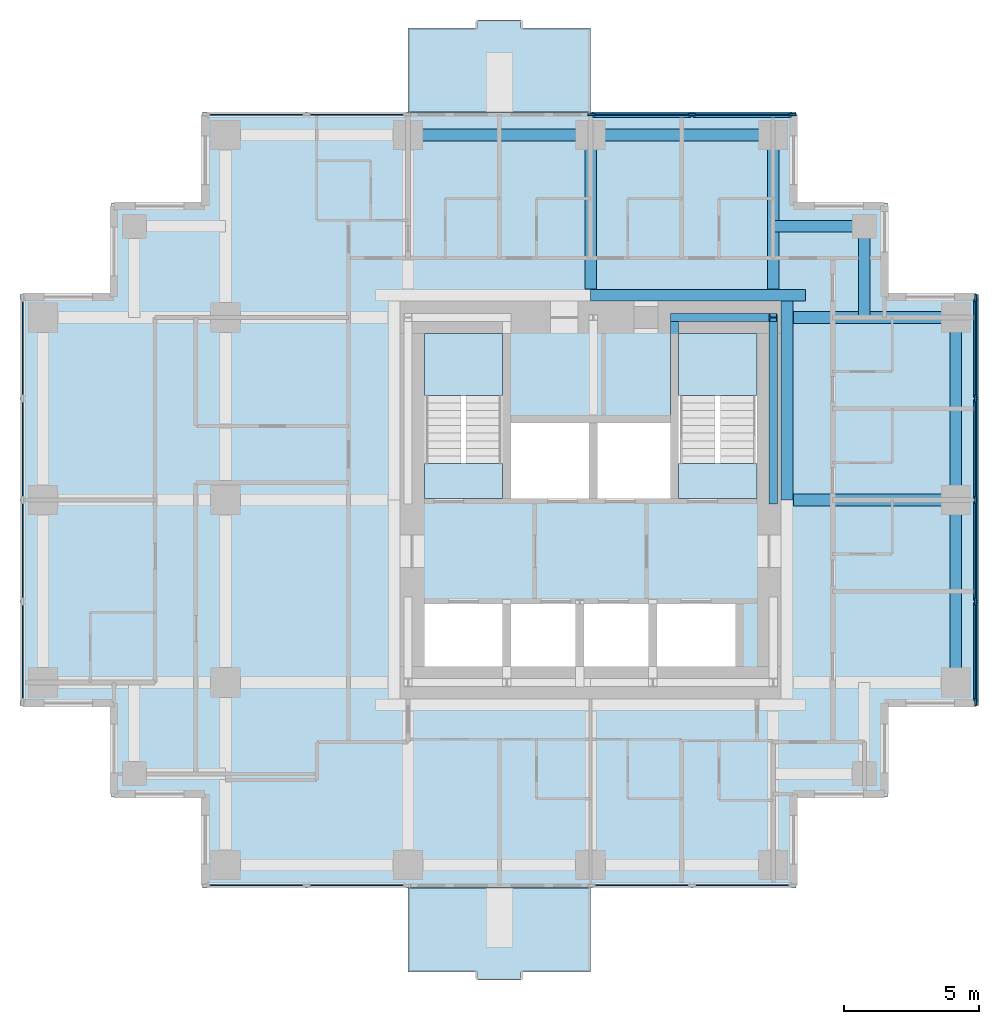
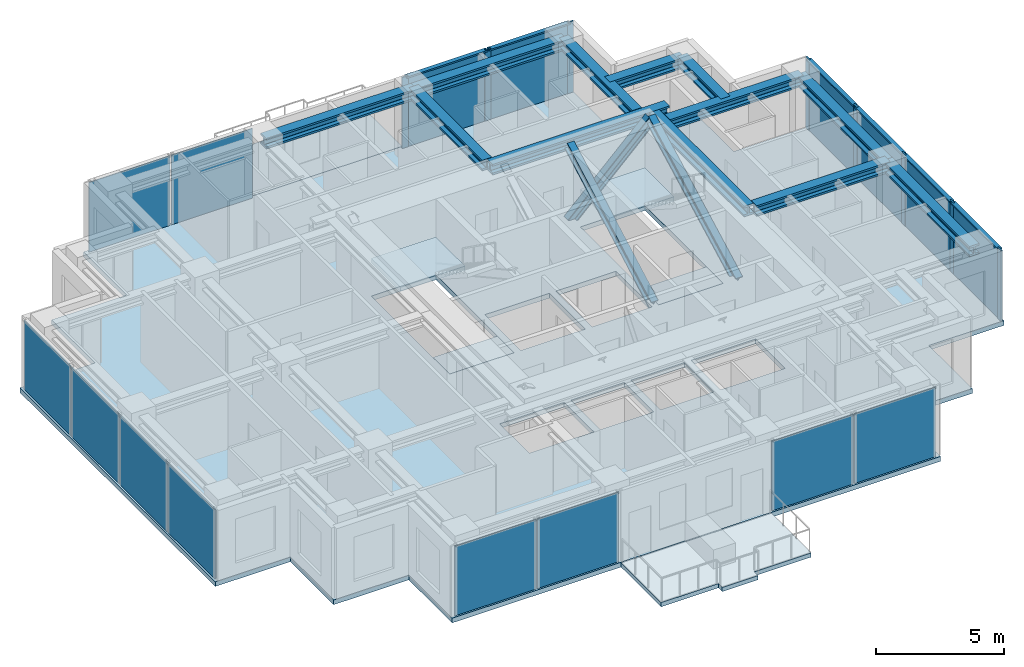
# One storey, part 2 of 8: 17 members, 16 plates, 12 beams, 7 slabs, 8 elements without a shape of their own.
"""IFC4 building model written with IfcOpenShell, lengths in metres."""

from ifc_helpers import new_model, si_unit, direction, frame, origin, origin_2d, place, context, subcontext, project, spatial, polyline, rectangle, i_section, outline, extrude, material, layer, layer_set, material_profile, profile_set, type_object, element, aggregate, save


model = new_model("IFC4")

# Units and contexts
model_context = context("Model", 3, precision=1e-05, world=origin(), true_north=direction((0.0, 1.0)))
body_context = subcontext(model_context, "Body", "Model", "MODEL_VIEW")
ifc_project = project(units=[si_unit("LENGTHUNIT", "METRE"), si_unit("AREAUNIT", "SQUARE_METRE"), si_unit("VOLUMEUNIT", "CUBIC_METRE"), si_unit("PLANEANGLEUNIT", "RADIAN"), si_unit("MASSUNIT", "GRAM", prefix="KILO")], contexts=[model_context])

# Site, building, storey
site_placement = place(None, origin())
site = spatial("IfcSite", under=ifc_project, at=site_placement, CompositionType="ELEMENT")
building_placement = place(site_placement, origin())
building = spatial("IfcBuilding", under=site, at=building_placement, Name="Nyansa Garden Tower", CompositionType="ELEMENT")
storey_placement = place(building_placement, frame((0.0, 0.0, 211.5)))
storey = spatial("IfcBuildingStorey", under=building, at=storey_placement, Name="L57", CompositionType="ELEMENT", Elevation=211.5)

# Curtain wall, members
ifc_material_1 = material(Name="Black anodised aluminium, dark tinted double glazing", Category="aluminium")
curtain_wall_type = type_object("IfcCurtainWallType", Name="Inner skin curtain wall ISW-D", PredefinedType="USERDEFINED", material=ifc_material_1)
curtain_wall_1_placement = place(storey_placement, origin())
curtain_wall_1 = element("IfcCurtainWall", 1, at=curtain_wall_1_placement, inside=storey, type_object=curtain_wall_type, Name="Inner skin curtain wall L57 E", ObjectType="UNITISED CURTAIN WALL", PredefinedType="USERDEFINED")
ifc_material_2 = material(Name="Black anodised aluminium", Category="aluminium")
ifc_material_profile_1 = material_profile(ifc_material_2, rectangle(XDim=0.070068359375, YDim=0.27490234375, at=origin_2d()), Name="Mullion 275x70")
ifc_profile_set_1 = profile_set([ifc_material_profile_1], Name="Black anodised aluminium")
member_type_1 = type_object("IfcMemberType", Name="Mullion ISW-D 275x70", PredefinedType="MULLION", material=ifc_profile_set_1)
member_1_placement = place(storey_placement, frame((34.5, 12.784912109375, 0.0), z_axis=(0.0, 0.0, 1.0), x_axis=(-1.0, 0.0, 0.0)))
member_1 = element("IfcMember", 2, at=member_1_placement, type_object=member_type_1, Name="ISW-D mullion 1", PredefinedType="MULLION", context=body_context, shape_type="SweptSolid", body=[
    extrude(rectangle(XDim=0.070068359375, YDim=0.27490234375, at=origin_2d()), origin(), (0.0, 0.0, 1.0), 3.375),
])
member_2_placement = place(storey_placement, frame((34.5, 16.5, 0.0), z_axis=(0.0, 0.0, 1.0), x_axis=(-1.0, 0.0, 0.0)))
member_2 = element("IfcMember", 3, at=member_2_placement, type_object=member_type_1, Name="ISW-D mullion 2", PredefinedType="MULLION", context=body_context, shape_type="SweptSolid", body=[
    extrude(rectangle(XDim=0.070068359375, YDim=0.27490234375, at=origin_2d()), origin(), (0.0, 0.0, 1.0), 3.375),
])
member_3_placement = place(storey_placement, frame((34.5, 20.25, 0.0), z_axis=(0.0, 0.0, 1.0), x_axis=(-1.0, 0.0, 0.0)))
member_3 = element("IfcMember", 4, at=member_3_placement, type_object=member_type_1, Name="ISW-D mullion 3", PredefinedType="MULLION", context=body_context, shape_type="SweptSolid", body=[
    extrude(rectangle(XDim=0.070068359375, YDim=0.27490234375, at=origin_2d()), origin(), (0.0, 0.0, 1.0), 3.375),
])
member_4_placement = place(storey_placement, frame((34.5, 24.0, 0.0), z_axis=(0.0, 0.0, 1.0), x_axis=(-1.0, 0.0, 0.0)))
member_4 = element("IfcMember", 5, at=member_4_placement, type_object=member_type_1, Name="ISW-D mullion 4", PredefinedType="MULLION", context=body_context, shape_type="SweptSolid", body=[
    extrude(rectangle(XDim=0.070068359375, YDim=0.27490234375, at=origin_2d()), origin(), (0.0, 0.0, 1.0), 3.375),
])
member_5_placement = place(storey_placement, frame((34.5, 27.715087890625, 0.0), z_axis=(0.0, 0.0, 1.0), x_axis=(-1.0, 0.0, 0.0)))
member_5 = element("IfcMember", 6, at=member_5_placement, type_object=member_type_1, Name="ISW-D mullion 5", PredefinedType="MULLION", context=body_context, shape_type="SweptSolid", body=[
    extrude(rectangle(XDim=0.070068359375, YDim=0.27490234375, at=origin_2d()), origin(), (0.0, 0.0, 1.0), 3.375),
])

curtain_wall_2_placement = place(storey_placement, origin())
curtain_wall_2 = element("IfcCurtainWall", 7, at=curtain_wall_2_placement, inside=storey, type_object=curtain_wall_type, Name="Inner skin curtain wall L57 N", ObjectType="UNITISED CURTAIN WALL", PredefinedType="USERDEFINED")
member_6_placement = place(storey_placement, frame((27.715087890625, 34.5, 0.0), z_axis=(0.0, 0.0, 1.0), x_axis=(0.0, -1.0, 0.0)))
member_6 = element("IfcMember", 8, at=member_6_placement, type_object=member_type_1, Name="ISW-D mullion 1", PredefinedType="MULLION", context=body_context, shape_type="SweptSolid", body=[
    extrude(rectangle(XDim=0.070068359375, YDim=0.27490234375, at=origin_2d()), origin(), (0.0, 0.0, 1.0), 3.375),
])
member_7_placement = place(storey_placement, frame((24.0, 34.5, 0.0), z_axis=(0.0, 0.0, 1.0), x_axis=(0.0, -1.0, 0.0)))
member_7 = element("IfcMember", 9, at=member_7_placement, type_object=member_type_1, Name="ISW-D mullion 2", PredefinedType="MULLION", context=body_context, shape_type="SweptSolid", body=[
    extrude(rectangle(XDim=0.070068359375, YDim=0.27490234375, at=origin_2d()), origin(), (0.0, 0.0, 1.0), 3.375),
])
member_8_placement = place(storey_placement, frame((20.284912109375, 34.5, 0.0), z_axis=(0.0, 0.0, 1.0), x_axis=(0.0, -1.0, 0.0)))
member_8 = element("IfcMember", 10, at=member_8_placement, type_object=member_type_1, Name="ISW-D mullion 3", PredefinedType="MULLION", context=body_context, shape_type="SweptSolid", body=[
    extrude(rectangle(XDim=0.070068359375, YDim=0.27490234375, at=origin_2d()), origin(), (0.0, 0.0, 1.0), 3.375),
])

# Members
ifc_material_3 = material(Name="Steel S355", Category="steel")
ifc_material_profile_2 = material_profile(ifc_material_3, i_section(OverallWidth=0.306884765625, OverallDepth=0.431884765625, WebThickness=0.02099609375, FlangeThickness=0.0400390625, FilletRadius=0.027099609375, at=origin_2d()), Name="HE 400 M")
ifc_profile_set_2 = profile_set([ifc_material_profile_2], Name="Steel S355")
member_type_2 = type_object("IfcMemberType", Name="Perimeter brace HE 400 M", PredefinedType="BRACE", material=ifc_profile_set_2)
member_9_placement = place(storey_placement, frame((23.35009765625, 27.0, 0.0), z_axis=(0.711947531702, 0.0, 0.702232662373), x_axis=(0.0, 1.0, 0.0)))
element("IfcMember", 11, at=member_9_placement, inside=storey, type_object=member_type_2, Name="Core brace CN4 L57", PredefinedType="BRACE", context=body_context, shape_type="SweptSolid", body=[
    extrude(i_section(OverallWidth=0.306884765625, OverallDepth=0.431884765625, WebThickness=0.02099609375, FlangeThickness=0.0400390625, FilletRadius=0.027099609375, at=origin_2d()), origin(), (0.0, 0.0, 1.0), 5.126708984375),
])
member_10_placement = place(storey_placement, frame((27.0, 20.199951171875, 0.0), z_axis=(0.0, 0.883784057226, 0.467895009796), x_axis=(-1.0, 0.0, 0.0)))
element("IfcMember", 12, at=member_10_placement, inside=storey, type_object=member_type_2, Name="Core brace CE8 L57", PredefinedType="BRACE", context=body_context, shape_type="SweptSolid", body=[
    extrude(i_section(OverallWidth=0.306884765625, OverallDepth=0.431884765625, WebThickness=0.02099609375, FlangeThickness=0.0400390625, FilletRadius=0.027099609375, at=origin_2d()), origin(), (0.0, 0.0, 1.0), 7.6943359375),
])
member_11_placement = place(storey_placement, frame((23.35009765625, 20.449951171875, 0.0), z_axis=(0.0, 0.876353113771, 0.481669201822), x_axis=(-1.0, 0.0, 0.0)))
element("IfcMember", 13, at=member_11_placement, inside=storey, type_object=member_type_2, Name="Core brace CES10 L57", PredefinedType="BRACE", context=body_context, shape_type="SweptSolid", body=[
    extrude(i_section(OverallWidth=0.306884765625, OverallDepth=0.431884765625, WebThickness=0.02099609375, FlangeThickness=0.0400390625, FilletRadius=0.027099609375, at=origin_2d()), origin(), (0.0, 0.0, 1.0), 7.47412109375),
])

# Beams
ifc_material_4 = material(Name="Steel S355", Category="steel")
ifc_material_profile_3 = material_profile(ifc_material_4, i_section(OverallWidth=0.431884765625, OverallDepth=0.498046875, WebThickness=0.0556640625, FlangeThickness=0.0888671875, FilletRadius=0.014892578125, at=origin_2d()), Name="HD 400x744")
ifc_profile_set_3 = profile_set([ifc_material_profile_3], Name="Steel S355")
beam_type_1 = type_object("IfcBeamType", Name="Steel beam SBD1-744 HD 400x744", PredefinedType="BEAM", material=ifc_profile_set_3)
beam_1_placement = place(storey_placement, frame((20.25, 28.050048828125, 3.1259765625), z_axis=(0.0, 1.0, 0.0), x_axis=(-1.0, 0.0, 0.0)))
element("IfcBeam", 14, at=beam_1_placement, inside=storey, type_object=beam_type_1, Name="Steel beam 5/28.050-5/J L58", PredefinedType="BEAM", context=body_context, shape_type="SweptSolid", body=[
    extrude(i_section(OverallWidth=0.431884765625, OverallDepth=0.498046875, WebThickness=0.0556640625, FlangeThickness=0.0888671875, FilletRadius=0.014892578125, at=origin_2d()), origin(), (0.0, 0.0, 1.0), 5.699951171875),
])
beam_2_placement = place(storey_placement, frame((27.75, 20.25, 3.1259765625), z_axis=(1.0, 0.0, 0.0), x_axis=(0.0, 1.0, 0.0)))
element("IfcBeam", 15, at=beam_2_placement, inside=storey, type_object=beam_type_1, Name="Steel beam 27.750/G-7/G L58", PredefinedType="BEAM", context=body_context, shape_type="SweptSolid", body=[
    extrude(i_section(OverallWidth=0.431884765625, OverallDepth=0.498046875, WebThickness=0.0556640625, FlangeThickness=0.0888671875, FilletRadius=0.014892578125, at=origin_2d()), origin(), (0.0, 0.0, 1.0), 6.0),
])
beam_3_placement = place(storey_placement, frame((27.0, 28.050048828125, 3.1259765625), z_axis=(0.0, 1.0, 0.0), x_axis=(-1.0, 0.0, 0.0)))
element("IfcBeam", 16, at=beam_3_placement, inside=storey, type_object=beam_type_1, Name="Steel beam 6/28.050-6/J L58", PredefinedType="BEAM", context=body_context, shape_type="SweptSolid", body=[
    extrude(i_section(OverallWidth=0.431884765625, OverallDepth=0.498046875, WebThickness=0.0556640625, FlangeThickness=0.0888671875, FilletRadius=0.014892578125, at=origin_2d()), origin(), (0.0, 0.0, 1.0), 5.699951171875),
])
beam_4_placement = place(storey_placement, frame((27.75, 27.0, 3.1259765625), z_axis=(1.0, 0.0, 0.0), x_axis=(0.0, 1.0, 0.0)))
element("IfcBeam", 17, at=beam_4_placement, inside=storey, type_object=beam_type_1, Name="Steel beam 27.750/H-7/H L58", PredefinedType="BEAM", context=body_context, shape_type="SweptSolid", body=[
    extrude(i_section(OverallWidth=0.431884765625, OverallDepth=0.498046875, WebThickness=0.0556640625, FlangeThickness=0.0888671875, FilletRadius=0.014892578125, at=origin_2d()), origin(), (0.0, 0.0, 1.0), 6.0),
])
ifc_material_5 = material(Name="Steel S355", Category="steel")
ifc_material_profile_4 = material_profile(ifc_material_5, i_section(OverallWidth=0.431884765625, OverallDepth=0.498046875, WebThickness=0.0556640625, FlangeThickness=0.0888671875, FilletRadius=0.014892578125, at=origin_2d()), Name="HD 400x744")
ifc_profile_set_4 = profile_set([ifc_material_profile_4], Name="Steel S355")
beam_type_2 = type_object("IfcBeamType", Name="Steel beam SEBD-744 HD 400x744", PredefinedType="BEAM", material=ifc_profile_set_4)
for number, where, z_axis, x_axis, name in (
    (18, (13.5, 33.75, 3.1259765625), (1.0, 0.0, 0.0), (0.0, 1.0, 0.0), "Steel edge beam 4/J-5/J L58"),
    (19, (20.25, 33.75, 3.1259765625), (1.0, 0.0, 0.0), (0.0, 1.0, 0.0), "Steel edge beam 5/J-6/J L58"),
    (20, (33.75, 13.5, 3.1259765625), (0.0, 1.0, 0.0), (-1.0, 0.0, 0.0), "Steel edge beam 7/F-7/G L58"),
    (21, (33.75, 20.25, 3.1259765625), (0.0, 1.0, 0.0), (-1.0, 0.0, 0.0), "Steel edge beam 7/G-7/H L58"),
):
    element("IfcBeam", number, at=place(storey_placement, frame(where, z_axis=z_axis, x_axis=x_axis)), inside=storey, type_object=beam_type_2, Name=name, PredefinedType="BEAM", context=body_context, shape_type="SweptSolid", body=[
        extrude(i_section(OverallWidth=0.431884765625, OverallDepth=0.498046875, WebThickness=0.0556640625, FlangeThickness=0.0888671875, FilletRadius=0.014892578125, at=origin_2d()), origin(), (0.0, 0.0, 1.0), 6.75),
    ])
ifc_material_6 = material(Name="Steel S355", Category="steel")
ifc_material_profile_5 = material_profile(ifc_material_6, i_section(OverallWidth=0.431884765625, OverallDepth=0.498046875, WebThickness=0.0556640625, FlangeThickness=0.0888671875, FilletRadius=0.014892578125, at=origin_2d()), Name="HD 400x744")
ifc_profile_set_5 = profile_set([ifc_material_profile_5], Name="Steel S355")
beam_type_3 = type_object("IfcBeamType", Name="Steel beam SLB1-744 HD 400x744", PredefinedType="BEAM", material=ifc_profile_set_5)
beam_5_placement = place(storey_placement, frame((27.51611328125, 20.25, 3.1259765625), z_axis=(0.0, 1.0, 0.0), x_axis=(-1.0, 0.0, 0.0)))
element("IfcBeam", 22, at=beam_5_placement, inside=storey, type_object=beam_type_3, Name="Steel core ledger beam E.2 L58", PredefinedType="BEAM", context=body_context, shape_type="SweptSolid", body=[
    extrude(i_section(OverallWidth=0.431884765625, OverallDepth=0.498046875, WebThickness=0.0556640625, FlangeThickness=0.0888671875, FilletRadius=0.014892578125, at=origin_2d()), origin(), (0.0, 0.0, 1.0), 7.35009765625),
])
beam_6_placement = place(storey_placement, frame((28.199951171875, 27.81591796875, 3.1259765625), z_axis=(-1.0, 0.0, 0.0), x_axis=(0.0, -1.0, 0.0)))
element("IfcBeam", 23, at=beam_6_placement, inside=storey, type_object=beam_type_3, Name="Steel core ledger beam N.1 L58", PredefinedType="BEAM", context=body_context, shape_type="SweptSolid", body=[
    extrude(i_section(OverallWidth=0.431884765625, OverallDepth=0.498046875, WebThickness=0.0556640625, FlangeThickness=0.0888671875, FilletRadius=0.014892578125, at=origin_2d()), origin(), (0.0, 0.0, 1.0), 7.949951171875),
])
ifc_material_7 = material(Name="Steel S355", Category="steel")
ifc_material_profile_6 = material_profile(ifc_material_7, i_section(OverallWidth=0.431884765625, OverallDepth=0.498046875, WebThickness=0.0556640625, FlangeThickness=0.0888671875, FilletRadius=0.014892578125, at=origin_2d()), Name="HD 400x744")
ifc_profile_set_6 = profile_set([ifc_material_profile_6], Name="Steel S355")
beam_type_4 = type_object("IfcBeamType", Name="Steel beam SSB1-744 HD 400x744", PredefinedType="BEAM", material=ifc_profile_set_6)
for number, where, z_axis, x_axis, name in (
    (24, (30.375, 30.375, 3.1259765625), (0.0, -1.0, 0.0), (1.0, 0.0, 0.0), "Steel step beam 30.375/30.375 L58"),
    (25, (30.375, 30.375, 3.1259765625), (-1.0, 0.0, 0.0), (0.0, -1.0, 0.0), "Steel step beam 30.375/30.375 L58"),
):
    element("IfcBeam", number, at=place(storey_placement, frame(where, z_axis=z_axis, x_axis=x_axis)), inside=storey, type_object=beam_type_4, Name=name, PredefinedType="BEAM", context=body_context, shape_type="SweptSolid", body=[
        extrude(i_section(OverallWidth=0.431884765625, OverallDepth=0.498046875, WebThickness=0.0556640625, FlangeThickness=0.0888671875, FilletRadius=0.014892578125, at=origin_2d()), origin(), (0.0, 0.0, 1.0), 3.375),
    ])

# Member
ifc_material_8 = material(Name="Black anodised aluminium", Category="aluminium")
ifc_material_profile_7 = material_profile(ifc_material_8, rectangle(XDim=0.195068359375, YDim=0.070068359375, at=origin_2d()), Name="Transom 195x70")
ifc_profile_set_7 = profile_set([ifc_material_profile_7], Name="Black anodised aluminium")
member_type_3 = type_object("IfcMemberType", Name="Transom ISW-D 195x70", PredefinedType="USERDEFINED", material=ifc_profile_set_7)
member_12_placement = place(storey_placement, frame((34.5, 12.820068359375, 3.340087890625), z_axis=(0.0, 1.0, 0.0), x_axis=(-1.0, 0.0, 0.0)))
member_12 = element("IfcMember", 26, at=member_12_placement, type_object=member_type_3, Name="ISW-D transom 1", ObjectType="TRANSOM", PredefinedType="USERDEFINED", context=body_context, shape_type="SweptSolid", body=[
    extrude(rectangle(XDim=0.195068359375, YDim=0.070068359375, at=origin_2d()), origin(), (0.0, 0.0, 1.0), 3.64501953125),
])

member_13_placement = place(storey_placement, frame((34.5, 16.534912109375, 3.340087890625), z_axis=(0.0, 1.0, 0.0), x_axis=(-1.0, 0.0, 0.0)))
member_13 = element("IfcMember", 27, at=member_13_placement, type_object=member_type_3, Name="ISW-D transom 2", ObjectType="TRANSOM", PredefinedType="USERDEFINED", context=body_context, shape_type="SweptSolid", body=[
    extrude(rectangle(XDim=0.195068359375, YDim=0.070068359375, at=origin_2d()), origin(), (0.0, 0.0, 1.0), 3.68017578125),
])

member_14_placement = place(storey_placement, frame((34.5, 20.284912109375, 3.340087890625), z_axis=(0.0, 1.0, 0.0), x_axis=(-1.0, 0.0, 0.0)))
member_14 = element("IfcMember", 28, at=member_14_placement, type_object=member_type_3, Name="ISW-D transom 3", ObjectType="TRANSOM", PredefinedType="USERDEFINED", context=body_context, shape_type="SweptSolid", body=[
    extrude(rectangle(XDim=0.195068359375, YDim=0.070068359375, at=origin_2d()), origin(), (0.0, 0.0, 1.0), 3.68017578125),
])

member_15_placement = place(storey_placement, frame((34.5, 24.034912109375, 3.340087890625), z_axis=(0.0, 1.0, 0.0), x_axis=(-1.0, 0.0, 0.0)))
member_15 = element("IfcMember", 29, at=member_15_placement, type_object=member_type_3, Name="ISW-D transom 4", ObjectType="TRANSOM", PredefinedType="USERDEFINED", context=body_context, shape_type="SweptSolid", body=[
    extrude(rectangle(XDim=0.195068359375, YDim=0.070068359375, at=origin_2d()), origin(), (0.0, 0.0, 1.0), 3.64501953125),
])

member_16_placement = place(storey_placement, frame((27.679931640625, 34.5, 3.340087890625), z_axis=(-1.0, 0.0, 0.0), x_axis=(0.0, -1.0, 0.0)))
member_16 = element("IfcMember", 30, at=member_16_placement, type_object=member_type_3, Name="ISW-D transom 1", ObjectType="TRANSOM", PredefinedType="USERDEFINED", context=body_context, shape_type="SweptSolid", body=[
    extrude(rectangle(XDim=0.195068359375, YDim=0.070068359375, at=origin_2d()), origin(), (0.0, 0.0, 1.0), 3.64501953125),
])

member_17_placement = place(storey_placement, frame((23.965087890625, 34.5, 3.340087890625), z_axis=(-1.0, 0.0, 0.0), x_axis=(0.0, -1.0, 0.0)))
member_17 = element("IfcMember", 31, at=member_17_placement, type_object=member_type_3, Name="ISW-D transom 2", ObjectType="TRANSOM", PredefinedType="USERDEFINED", context=body_context, shape_type="SweptSolid", body=[
    extrude(rectangle(XDim=0.195068359375, YDim=0.070068359375, at=origin_2d()), origin(), (0.0, 0.0, 1.0), 3.64501953125),
])

# Slabs
ifc_material_9 = material(Name="Concrete C40/50", Category="concrete")
ifc_layer_1 = layer(ifc_material_9, 0.199951171875)
ifc_layer_set_1 = layer_set([ifc_layer_1], Name="Balcony slab BS200")
slab_type_1 = type_object("IfcSlabType", Name="Balcony slab BS200", PredefinedType="FLOOR", material=ifc_layer_set_1)
slab_1_placement = place(storey_placement, frame((0.0, 0.0, -0.239990234375)))
element("IfcSlab", 32, at=slab_1_placement, inside=storey, type_object=slab_type_1, Name="Balcony L57 S", PredefinedType="FLOOR", context=body_context, shape_type="SweptSolid", body=[
    extrude(outline(polyline([(13.5, 5.89990234375), (20.25, 5.89990234375), (20.25, 2.800048828125), (17.675048828125, 2.800048828125), (17.675048828125, 2.5), (16.074951171875, 2.5), (16.074951171875, 2.800048828125), (13.5, 2.800048828125), (13.5, 5.89990234375)])), origin(), (0.0, 0.0, 1.0), 0.199951171875),
])
slab_2_placement = place(storey_placement, frame((0.0, 0.0, -0.239990234375)))
element("IfcSlab", 33, at=slab_2_placement, inside=storey, type_object=slab_type_1, Name="Balcony L57 N", PredefinedType="FLOOR", context=body_context, shape_type="SweptSolid", body=[
    extrude(outline(polyline([(13.5, 34.60009765625), (20.25, 34.60009765625), (20.25, 37.699951171875), (17.675048828125, 37.699951171875), (17.675048828125, 38.0), (16.074951171875, 38.0), (16.074951171875, 37.699951171875), (13.5, 37.699951171875), (13.5, 34.60009765625)])), origin(), (0.0, 0.0, 1.0), 0.199951171875),
])

# Plate
ifc_material_10 = material(Name="Dark tinted laminated double glazing", Category="glass")
ifc_layer_2 = layer(ifc_material_10, 0.0439453125)
ifc_layer_set_2 = layer_set([ifc_layer_2], Name="Dark tinted vision panel VP-D")
plate_type = type_object("IfcPlateType", Name="Dark tinted vision panel VP-D", PredefinedType="CURTAIN_PANEL", material=ifc_layer_set_2)
plate_1_placement = place(storey_placement, frame((34.5, 14.642578125, 0.0), z_axis=(0.0, 0.0, 1.0), x_axis=(0.0, 1.0, 0.0)))
plate_1 = element("IfcPlate", 34, at=plate_1_placement, type_object=plate_type, Name="ISW-D panel 1", PredefinedType="CURTAIN_PANEL", context=body_context, shape_type="SweptSolid", body=[
    extrude(rectangle(XDim=3.64501953125, YDim=0.0439453125, at=origin_2d()), origin(), (0.0, 0.0, 1.0), 3.304931640625),
])

plate_2_placement = place(storey_placement, frame((34.5, 18.375, 0.0), z_axis=(0.0, 0.0, 1.0), x_axis=(0.0, 1.0, 0.0)))
plate_2 = element("IfcPlate", 35, at=plate_2_placement, type_object=plate_type, Name="ISW-D panel 2", PredefinedType="CURTAIN_PANEL", context=body_context, shape_type="SweptSolid", body=[
    extrude(rectangle(XDim=3.679931640625, YDim=0.0439453125, at=origin_2d()), origin(), (0.0, 0.0, 1.0), 3.304931640625),
])

plate_3_placement = place(storey_placement, frame((34.5, 22.125, 0.0), z_axis=(0.0, 0.0, 1.0), x_axis=(0.0, 1.0, 0.0)))
plate_3 = element("IfcPlate", 36, at=plate_3_placement, type_object=plate_type, Name="ISW-D panel 3", PredefinedType="CURTAIN_PANEL", context=body_context, shape_type="SweptSolid", body=[
    extrude(rectangle(XDim=3.679931640625, YDim=0.0439453125, at=origin_2d()), origin(), (0.0, 0.0, 1.0), 3.304931640625),
])

plate_4_placement = place(storey_placement, frame((34.5, 25.857421875, 0.0), z_axis=(0.0, 0.0, 1.0), x_axis=(0.0, 1.0, 0.0)))
plate_4 = element("IfcPlate", 37, at=plate_4_placement, type_object=plate_type, Name="ISW-D panel 4", PredefinedType="CURTAIN_PANEL", context=body_context, shape_type="SweptSolid", body=[
    extrude(rectangle(XDim=3.64501953125, YDim=0.0439453125, at=origin_2d()), origin(), (0.0, 0.0, 1.0), 3.304931640625),
])

aggregate(curtain_wall_1, [member_1, member_2, member_3, member_4, member_5, member_12, plate_1, member_13, plate_2, member_14, plate_3, member_15, plate_4])

# Curtain wall, plates
curtain_wall_3_placement = place(storey_placement, origin())
curtain_wall_3 = element("IfcCurtainWall", 38, at=curtain_wall_3_placement, inside=storey, type_object=curtain_wall_type, Name="Inner skin curtain wall L57 N", ObjectType="UNITISED CURTAIN WALL", PredefinedType="USERDEFINED")
plate_5_placement = place(storey_placement, frame((11.607421875, 34.5, 0.0), z_axis=(0.0, 0.0, 1.0), x_axis=(-1.0, 0.0, 0.0)))
plate_5 = element("IfcPlate", 39, at=plate_5_placement, type_object=plate_type, Name="ISW-D panel 1", PredefinedType="CURTAIN_PANEL", context=body_context, shape_type="SweptSolid", body=[
    extrude(rectangle(XDim=3.64501953125, YDim=0.0439453125, at=origin_2d()), origin(), (0.0, 0.0, 1.0), 3.304931640625),
])
plate_6_placement = place(storey_placement, frame((7.892578125, 34.5, 0.0), z_axis=(0.0, 0.0, 1.0), x_axis=(-1.0, 0.0, 0.0)))
plate_6 = element("IfcPlate", 40, at=plate_6_placement, type_object=plate_type, Name="ISW-D panel 2", PredefinedType="CURTAIN_PANEL", context=body_context, shape_type="SweptSolid", body=[
    extrude(rectangle(XDim=3.64501953125, YDim=0.0439453125, at=origin_2d()), origin(), (0.0, 0.0, 1.0), 3.304931640625),
])
aggregate(curtain_wall_3, [plate_5, plate_6])

# Plate
plate_7_placement = place(storey_placement, frame((25.857421875, 34.5, 0.0), z_axis=(0.0, 0.0, 1.0), x_axis=(-1.0, 0.0, 0.0)))
plate_7 = element("IfcPlate", 41, at=plate_7_placement, type_object=plate_type, Name="ISW-D panel 1", PredefinedType="CURTAIN_PANEL", context=body_context, shape_type="SweptSolid", body=[
    extrude(rectangle(XDim=3.64501953125, YDim=0.0439453125, at=origin_2d()), origin(), (0.0, 0.0, 1.0), 3.304931640625),
])

plate_8_placement = place(storey_placement, frame((22.142578125, 34.5, 0.0), z_axis=(0.0, 0.0, 1.0), x_axis=(-1.0, 0.0, 0.0)))
plate_8 = element("IfcPlate", 42, at=plate_8_placement, type_object=plate_type, Name="ISW-D panel 2", PredefinedType="CURTAIN_PANEL", context=body_context, shape_type="SweptSolid", body=[
    extrude(rectangle(XDim=3.64501953125, YDim=0.0439453125, at=origin_2d()), origin(), (0.0, 0.0, 1.0), 3.304931640625),
])

aggregate(curtain_wall_2, [member_6, member_7, member_8, member_16, plate_7, member_17, plate_8])

# Curtain wall, plates
curtain_wall_4_placement = place(storey_placement, origin())
curtain_wall_4 = element("IfcCurtainWall", 43, at=curtain_wall_4_placement, inside=storey, type_object=curtain_wall_type, Name="Inner skin curtain wall L57 W", ObjectType="UNITISED CURTAIN WALL", PredefinedType="USERDEFINED")
plate_9_placement = place(storey_placement, frame((-0.75, 25.857421875, 0.0), z_axis=(0.0, 0.0, 1.0), x_axis=(0.0, -1.0, 0.0)))
plate_9 = element("IfcPlate", 44, at=plate_9_placement, type_object=plate_type, Name="ISW-D panel 1", PredefinedType="CURTAIN_PANEL", context=body_context, shape_type="SweptSolid", body=[
    extrude(rectangle(XDim=3.64501953125, YDim=0.0439453125, at=origin_2d()), origin(), (0.0, 0.0, 1.0), 3.304931640625),
])
plate_10_placement = place(storey_placement, frame((-0.75, 22.125, 0.0), z_axis=(0.0, 0.0, 1.0), x_axis=(0.0, -1.0, 0.0)))
plate_10 = element("IfcPlate", 45, at=plate_10_placement, type_object=plate_type, Name="ISW-D panel 2", PredefinedType="CURTAIN_PANEL", context=body_context, shape_type="SweptSolid", body=[
    extrude(rectangle(XDim=3.679931640625, YDim=0.0439453125, at=origin_2d()), origin(), (0.0, 0.0, 1.0), 3.304931640625),
])
plate_11_placement = place(storey_placement, frame((-0.75, 18.375, 0.0), z_axis=(0.0, 0.0, 1.0), x_axis=(0.0, -1.0, 0.0)))
plate_11 = element("IfcPlate", 46, at=plate_11_placement, type_object=plate_type, Name="ISW-D panel 3", PredefinedType="CURTAIN_PANEL", context=body_context, shape_type="SweptSolid", body=[
    extrude(rectangle(XDim=3.679931640625, YDim=0.0439453125, at=origin_2d()), origin(), (0.0, 0.0, 1.0), 3.304931640625),
])
plate_12_placement = place(storey_placement, frame((-0.75, 14.642578125, 0.0), z_axis=(0.0, 0.0, 1.0), x_axis=(0.0, -1.0, 0.0)))
plate_12 = element("IfcPlate", 47, at=plate_12_placement, type_object=plate_type, Name="ISW-D panel 4", PredefinedType="CURTAIN_PANEL", context=body_context, shape_type="SweptSolid", body=[
    extrude(rectangle(XDim=3.64501953125, YDim=0.0439453125, at=origin_2d()), origin(), (0.0, 0.0, 1.0), 3.304931640625),
])
aggregate(curtain_wall_4, [plate_9, plate_10, plate_11, plate_12])

curtain_wall_5_placement = place(storey_placement, origin())
curtain_wall_5 = element("IfcCurtainWall", 48, at=curtain_wall_5_placement, inside=storey, type_object=curtain_wall_type, Name="Inner skin curtain wall L57 S", ObjectType="UNITISED CURTAIN WALL", PredefinedType="USERDEFINED")
plate_13_placement = place(storey_placement, frame((7.892578125, 6.0, 0.0), z_axis=(0.0, 0.0, 1.0), x_axis=(1.0, 0.0, 0.0)))
plate_13 = element("IfcPlate", 49, at=plate_13_placement, type_object=plate_type, Name="ISW-D panel 1", PredefinedType="CURTAIN_PANEL", context=body_context, shape_type="SweptSolid", body=[
    extrude(rectangle(XDim=3.64501953125, YDim=0.0439453125, at=origin_2d()), origin(), (0.0, 0.0, 1.0), 3.304931640625),
])
plate_14_placement = place(storey_placement, frame((11.607421875, 6.0, 0.0), z_axis=(0.0, 0.0, 1.0), x_axis=(1.0, 0.0, 0.0)))
plate_14 = element("IfcPlate", 50, at=plate_14_placement, type_object=plate_type, Name="ISW-D panel 2", PredefinedType="CURTAIN_PANEL", context=body_context, shape_type="SweptSolid", body=[
    extrude(rectangle(XDim=3.64501953125, YDim=0.0439453125, at=origin_2d()), origin(), (0.0, 0.0, 1.0), 3.304931640625),
])
aggregate(curtain_wall_5, [plate_13, plate_14])

curtain_wall_6_placement = place(storey_placement, origin())
curtain_wall_6 = element("IfcCurtainWall", 51, at=curtain_wall_6_placement, inside=storey, type_object=curtain_wall_type, Name="Inner skin curtain wall L57 S", ObjectType="UNITISED CURTAIN WALL", PredefinedType="USERDEFINED")
plate_15_placement = place(storey_placement, frame((22.142578125, 6.0, 0.0), z_axis=(0.0, 0.0, 1.0), x_axis=(1.0, 0.0, 0.0)))
plate_15 = element("IfcPlate", 52, at=plate_15_placement, type_object=plate_type, Name="ISW-D panel 1", PredefinedType="CURTAIN_PANEL", context=body_context, shape_type="SweptSolid", body=[
    extrude(rectangle(XDim=3.64501953125, YDim=0.0439453125, at=origin_2d()), origin(), (0.0, 0.0, 1.0), 3.304931640625),
])
plate_16_placement = place(storey_placement, frame((25.857421875, 6.0, 0.0), z_axis=(0.0, 0.0, 1.0), x_axis=(1.0, 0.0, 0.0)))
plate_16 = element("IfcPlate", 53, at=plate_16_placement, type_object=plate_type, Name="ISW-D panel 2", PredefinedType="CURTAIN_PANEL", context=body_context, shape_type="SweptSolid", body=[
    extrude(rectangle(XDim=3.64501953125, YDim=0.0439453125, at=origin_2d()), origin(), (0.0, 0.0, 1.0), 3.304931640625),
])
aggregate(curtain_wall_6, [plate_15, plate_16])

# Slab
ifc_material_11 = material(Name="Concrete C40/50", Category="concrete")
ifc_layer_3 = layer(ifc_material_11, 0.22509765625)
ifc_layer_set_3 = layer_set([ifc_layer_3], Name="Floor slab FS225")
slab_type_2 = type_object("IfcSlabType", Name="Floor slab FS225", PredefinedType="FLOOR", material=ifc_layer_set_3)
slab_3_placement = place(storey_placement, frame((0.0, 0.0, -0.22509765625)))
element("IfcSlab", 54, at=slab_3_placement, inside=storey, type_object=slab_type_2, Name="Floor slab L57", PredefinedType="FLOOR", context=body_context, shape_type="SweptSolid", body=[
    extrude(outline(polyline([(34.60009765625, 12.64990234375), (31.22509765625, 12.64990234375), (31.22509765625, 9.27490234375), (27.85009765625, 9.27490234375), (27.85009765625, 5.89990234375), (5.89990234375, 5.89990234375), (5.89990234375, 9.27490234375), (2.52490234375, 9.27490234375), (2.52490234375, 12.64990234375), (-0.85009765625, 12.64990234375), (-0.85009765625, 27.85009765625), (2.52490234375, 27.85009765625), (2.52490234375, 31.22509765625), (5.89990234375, 31.22509765625), (5.89990234375, 34.60009765625), (27.85009765625, 34.60009765625), (27.85009765625, 31.22509765625), (31.22509765625, 31.22509765625), (31.22509765625, 27.85009765625), (34.60009765625, 27.85009765625), (34.60009765625, 12.64990234375)]), holes=[polyline([(14.10009765625, 14.10009765625), (17.0, 14.10009765625), (17.0, 16.39990234375), (14.10009765625, 16.39990234375), (14.10009765625, 14.10009765625)]), polyline([(17.300048828125, 14.10009765625), (19.699951171875, 14.10009765625), (19.699951171875, 16.39990234375), (17.300048828125, 16.39990234375), (17.300048828125, 14.10009765625)]), polyline([(20.0, 14.10009765625), (22.39990234375, 14.10009765625), (22.39990234375, 16.39990234375), (20.0, 16.39990234375), (20.0, 14.10009765625)]), polyline([(22.699951171875, 14.10009765625), (25.60009765625, 14.10009765625), (25.60009765625, 16.39990234375), (22.699951171875, 16.39990234375), (22.699951171875, 14.10009765625)]), polyline([(17.300048828125, 20.300048828125), (20.199951171875, 20.300048828125), (20.199951171875, 23.10009765625), (17.300048828125, 23.10009765625), (17.300048828125, 20.300048828125)]), polyline([(20.5, 20.300048828125), (23.199951171875, 20.300048828125), (23.199951171875, 23.10009765625), (20.5, 23.10009765625), (20.5, 20.300048828125)]), polyline([(14.10009765625, 20.300048828125), (17.0, 20.300048828125), (17.0, 26.39990234375), (14.10009765625, 26.39990234375), (14.10009765625, 20.300048828125)]), polyline([(23.5, 20.300048828125), (26.39990234375, 20.300048828125), (26.39990234375, 26.39990234375), (23.5, 26.39990234375), (23.5, 20.300048828125)])]), origin(), (0.0, 0.0, 1.0), 0.22509765625),
])

# Stair, slabs
ifc_material_12 = material(Name="Precast concrete C40/50", Category="concrete")
stair_type_1 = type_object("IfcStairType", Name="Stair S1 180x280", PredefinedType="HALF_TURN_STAIR", material=ifc_material_12)
stair_1_placement = place(storey_placement, origin())
stair_1 = element("IfcStair", 55, at=stair_1_placement, inside=storey, type_object=stair_type_1, Name="Stair S1 L57", PredefinedType="HALF_TURN_STAIR")
ifc_material_13 = material(Name="Concrete C40/50", Category="concrete")
ifc_layer_4 = layer(ifc_material_13, 0.199951171875)
ifc_layer_set_4 = layer_set([ifc_layer_4], Name="Stair landing SL200")
slab_type_3 = type_object("IfcSlabType", Name="Stair landing SL200", PredefinedType="LANDING", material=ifc_layer_set_4)
slab_4_placement = place(storey_placement, frame((0.0, 0.0, -0.199951171875)))
slab_4 = element("IfcSlab", 56, at=slab_4_placement, type_object=slab_type_3, Name="S1 landing 1", PredefinedType="LANDING", context=body_context, shape_type="SweptSolid", body=[
    extrude(outline(polyline([(14.10009765625, 20.300048828125), (17.0, 20.300048828125), (17.0, 21.60009765625), (14.10009765625, 21.60009765625), (14.10009765625, 20.300048828125)])), origin(), (0.0, 0.0, 1.0), 0.199951171875),
])
slab_5_placement = place(storey_placement, frame((0.0, 0.0, 1.60009765625)))
slab_5 = element("IfcSlab", 57, at=slab_5_placement, type_object=slab_type_3, Name="S1 landing 2", PredefinedType="LANDING", context=body_context, shape_type="SweptSolid", body=[
    extrude(outline(polyline([(14.10009765625, 24.1201171875), (17.0, 24.1201171875), (17.0, 26.39990234375), (14.10009765625, 26.39990234375), (14.10009765625, 24.1201171875)])), origin(), (0.0, 0.0, 1.0), 0.199951171875),
])
aggregate(stair_1, [slab_4, slab_5])

ifc_material_14 = material(Name="Precast concrete C40/50", Category="concrete")
stair_type_2 = type_object("IfcStairType", Name="Stair S2 180x280", PredefinedType="HALF_TURN_STAIR", material=ifc_material_14)
stair_2_placement = place(storey_placement, origin())
stair_2 = element("IfcStair", 58, at=stair_2_placement, inside=storey, type_object=stair_type_2, Name="Stair S2 L57", PredefinedType="HALF_TURN_STAIR")
slab_6_placement = place(storey_placement, frame((0.0, 0.0, -0.199951171875)))
slab_6 = element("IfcSlab", 59, at=slab_6_placement, type_object=slab_type_3, Name="S2 landing 1", PredefinedType="LANDING", context=body_context, shape_type="SweptSolid", body=[
    extrude(outline(polyline([(23.5, 20.300048828125), (26.39990234375, 20.300048828125), (26.39990234375, 21.60009765625), (23.5, 21.60009765625), (23.5, 20.300048828125)])), origin(), (0.0, 0.0, 1.0), 0.199951171875),
])
slab_7_placement = place(storey_placement, frame((0.0, 0.0, 1.60009765625)))
slab_7 = element("IfcSlab", 60, at=slab_7_placement, type_object=slab_type_3, Name="S2 landing 2", PredefinedType="LANDING", context=body_context, shape_type="SweptSolid", body=[
    extrude(outline(polyline([(23.5, 24.1201171875), (26.39990234375, 24.1201171875), (26.39990234375, 26.39990234375), (23.5, 26.39990234375), (23.5, 24.1201171875)])), origin(), (0.0, 0.0, 1.0), 0.199951171875),
])
aggregate(stair_2, [slab_6, slab_7])

save(model, "model.ifc")
